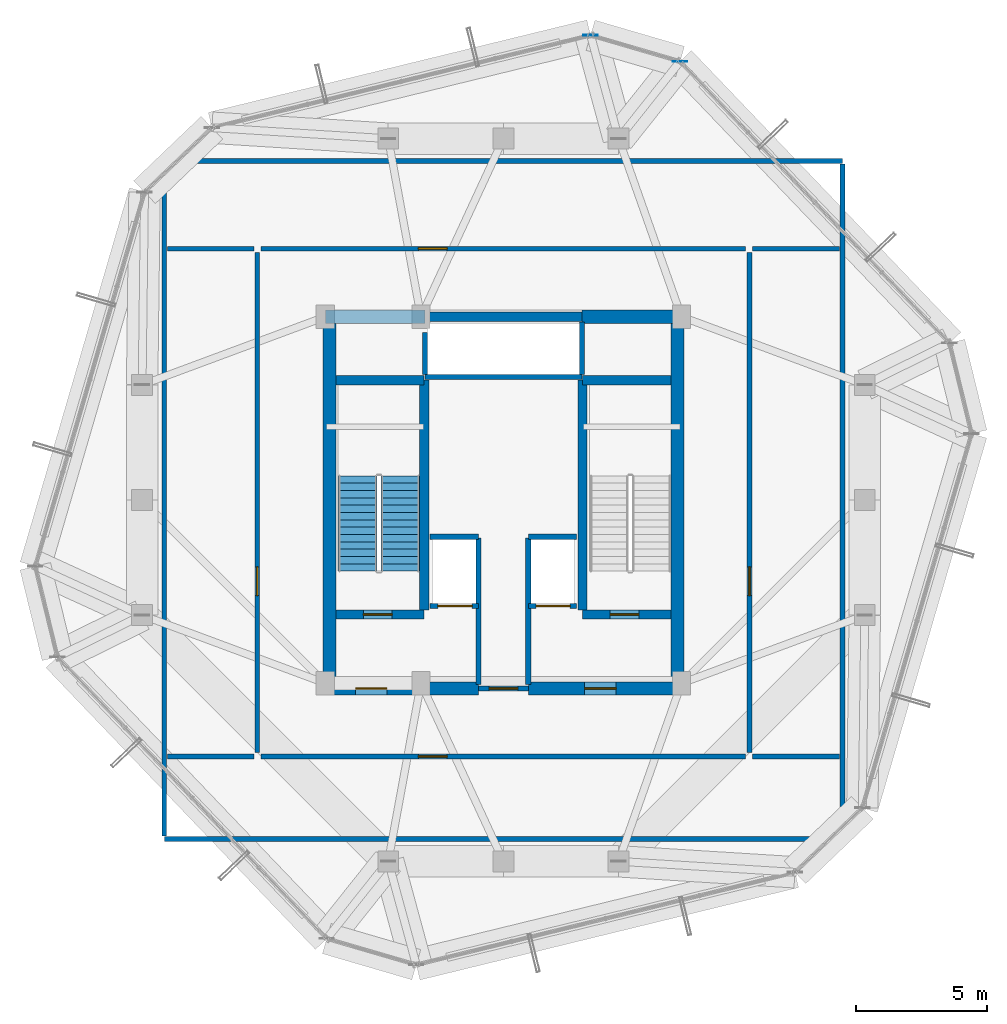
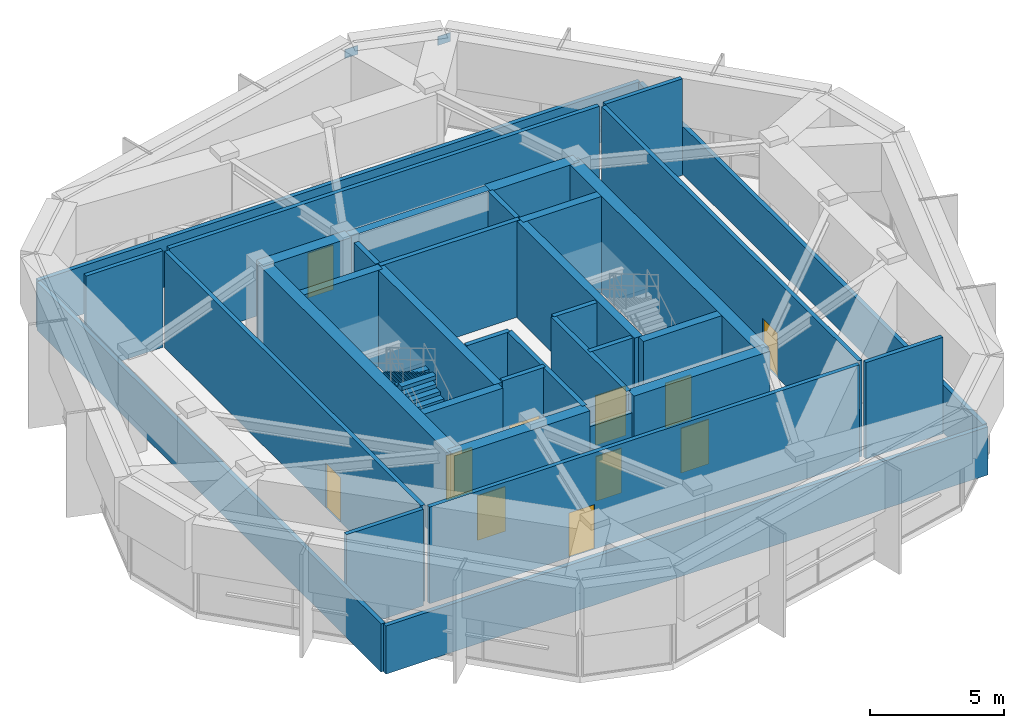
# One storey, part 36 of 39: 35 walls, 11 doors, 2 plates, 2 stair flights, 11 openings, 1 element without a shape of its own.
"""IFC4 building model written with IfcOpenShell, lengths in metres."""

from ifc_helpers import new_model, si_unit, direction, frame, frame_2d, origin, origin_2d, place, context, subcontext, project, spatial, polyline, rectangle, outline, extrude, source, transform, mapped, material, layer, layer_set, type_object, element, fill, aggregate, save


model = new_model("IFC4")

# Units and contexts
model_context = context("Model", 3, precision=1e-05, world=origin(), true_north=direction((0.0, 1.0)))
body_context = subcontext(model_context, "Body", "Model", "MODEL_VIEW")
ifc_project = project(units=[si_unit("LENGTHUNIT", "METRE"), si_unit("AREAUNIT", "SQUARE_METRE"), si_unit("VOLUMEUNIT", "CUBIC_METRE"), si_unit("PLANEANGLEUNIT", "RADIAN"), si_unit("MASSUNIT", "GRAM", prefix="KILO")], contexts=[model_context])

# Site, building, storey
site_placement = place(None, origin())
site = spatial("IfcSite", under=ifc_project, at=site_placement, CompositionType="ELEMENT")
building_placement = place(site_placement, origin())
building = spatial("IfcBuilding", under=site, at=building_placement, Name="Veraguas Prism Commons", CompositionType="ELEMENT")
storey_placement = place(building_placement, frame((0.0, 0.0, 264.25)))
storey = spatial("IfcBuildingStorey", under=building, at=storey_placement, Name="L75", CompositionType="ELEMENT", Elevation=264.25)

# Plates
ifc_material_1 = material(Name="Steel ASTM A572 Grade 50", Category="steel")
ifc_layer_1 = layer(ifc_material_1, 0.030029296875, Name="Hollow Brace End Cap Plate 550x400x30", Category="steel")
ifc_layer_set_1 = layer_set([ifc_layer_1], Name="Steel ASTM A572 Grade 50")
plate_type = type_object("IfcPlateType", Name="Hollow Brace End Cap Plate 550x400x30", PredefinedType="USERDEFINED", material=ifc_layer_set_1)
shared_shape_1 = source(origin(), body_context, "Body", "SweptSolid", [
    extrude(rectangle(XDim=0.550048828125, YDim=0.030029296875, at=origin_2d()), origin(), (0.0, 0.0, 1.0), 0.39990234375),
])
for number, where, z_axis, x_axis, name in (
    (1, (30.747802734375, 40.751708984375, 3.739990234375), (0.0, 0.0, 1.0), (1.0, 0.0, 0.0), "Crown Raker Head Gusset Plate L75-03"),
    (2, (27.328125, 41.750244140625, 3.739990234375), (0.0, 0.0, 1.0), (1.0, 0.0, 0.0), "Crown Raker Head Gusset Plate L75-04"),
):
    element("IfcPlate", number, at=place(storey_placement, frame(where, z_axis=z_axis, x_axis=x_axis)), inside=storey, type_object=plate_type, Name=name, ObjectType="STIFFENER PLATE", PredefinedType="USERDEFINED", context=body_context, shape_type="MappedRepresentation", body=[
        mapped(shared_shape_1, transform((0.0, 0.0, 0.0), scale=1.0)),
    ])

# Wall
ifc_material_2 = material(Name="Concrete C50/60", Category="concrete")
ifc_layer_2 = layer(ifc_material_2, 0.35009765625, Name="Core Internal Shear Wall Upper RC 350", Category="concrete")
ifc_layer_set_2 = layer_set([ifc_layer_2], Name="Concrete C50/60")
wall_type_1 = type_object("IfcWallType", Name="Core Internal Shear Wall Upper RC 350", PredefinedType="SHEAR", material=ifc_layer_set_2)
wall_1_placement = place(storey_placement, frame((21.0, 31.0, 0.0), z_axis=(0.0, 0.0, 1.0), x_axis=(1.0, 0.0, 0.0)))
element("IfcWall", 3, at=wall_1_placement, inside=storey, type_object=wall_type_1, Name="High-Rise Lift Bank Front Shear Wall L75", PredefinedType="SHEAR", context=body_context, shape_type="SweptSolid", body=[
    extrude(rectangle(XDim=6.0, YDim=0.35009765625, at=frame_2d((3.0, 0.0))), origin(), (0.0, 0.0, 1.0), 4.389892578125),
])

# Wall, opening, door
wall_2_placement = place(storey_placement, frame((17.60009765625, 19.625, 0.0), z_axis=(0.0, 0.0, 1.0), x_axis=(1.0, 0.0, 0.0)))
wall_2 = element("IfcWall", 4, at=wall_2_placement, inside=storey, type_object=wall_type_1, Name="Stair ST-01 South Shear Wall L75", PredefinedType="SHEAR", context=body_context, shape_type="SweptSolid", body=[
    extrude(rectangle(XDim=3.375, YDim=0.35009765625, at=frame_2d((1.6875, 0.0))), origin(), (0.0, 0.0, 1.0), 4.389892578125),
])
opening_1_placement = place(wall_2_placement, frame((1.050048828125, 0.0, 0.0)))
opening_1 = element("IfcOpeningElement", 5, at=opening_1_placement, cuts=wall_2, Name="Opening DR-05", PredefinedType="OPENING", context=body_context, shape_type="SweptSolid", body=[
    extrude(rectangle(XDim=1.10009765625, YDim=2.030029296875, at=frame_2d((0.550048828125, 1.01513671875))), frame((0.0, 0.18505859375, 0.0), z_axis=(0.0, -1.0, 0.0), x_axis=(1.0, 0.0, 0.0)), (0.0, 0.0, 1.0), 0.3701171875),
])
ifc_material_3 = material(Name="Steel fire-rated door assembly", Category="steel")
door_type_1 = type_object("IfcDoorType", Name="Protected Stair and Refuge Fire Door 1100x2030", OperationType="NOTDEFINED", PredefinedType="DOOR", material=ifc_material_3)
shared_shape_2 = source(origin(), body_context, "Body", "SweptSolid", [
    extrude(rectangle(XDim=1.10009765625, YDim=2.030029296875, at=frame_2d((0.550048828125, 1.01513671875))), frame((0.0, 0.02490234375, 0.0), z_axis=(0.0, -1.0, 0.0), x_axis=(1.0, 0.0, 0.0)), (0.0, 0.0, 1.0), 0.050048828125),
])
door_1_placement = place(opening_1_placement, origin())
door_1 = element("IfcDoor", 6, at=door_1_placement, inside=storey, type_object=door_type_1, Name="Stair ST-01 Enclosure Door L75", OperationType="SINGLE_SWING_RIGHT", OverallHeight=2.030029296875, OverallWidth=1.10009765625, PredefinedType="DOOR", context=body_context, shape_type="MappedRepresentation", body=[
    mapped(shared_shape_2, transform((0.0, 0.0, 0.0), scale=1.0)),
])
fill(opening_1, door_1)

wall_3_placement = place(storey_placement, frame((27.02490234375, 19.625, 0.0), z_axis=(0.0, 0.0, 1.0), x_axis=(1.0, 0.0, 0.0)))
wall_3 = element("IfcWall", 7, at=wall_3_placement, inside=storey, type_object=wall_type_1, Name="Stair ST-02 South Shear Wall L75", PredefinedType="SHEAR", context=body_context, shape_type="SweptSolid", body=[
    extrude(rectangle(XDim=3.375, YDim=0.35009765625, at=frame_2d((1.6875, 0.0))), origin(), (0.0, 0.0, 1.0), 4.389892578125),
])
opening_2_placement = place(wall_3_placement, frame((1.050048828125, 0.0, 0.0)))
opening_2 = element("IfcOpeningElement", 8, at=opening_2_placement, cuts=wall_3, Name="Opening DR-05", PredefinedType="OPENING", context=body_context, shape_type="SweptSolid", body=[
    extrude(rectangle(XDim=1.10009765625, YDim=2.030029296875, at=frame_2d((0.550048828125, 1.01513671875))), frame((0.0, 0.18505859375, 0.0), z_axis=(0.0, -1.0, 0.0), x_axis=(1.0, 0.0, 0.0)), (0.0, 0.0, 1.0), 0.3701171875),
])
door_2_placement = place(opening_2_placement, origin())
door_2 = element("IfcDoor", 9, at=door_2_placement, inside=storey, type_object=door_type_1, Name="Stair ST-02 Enclosure Door L75", OperationType="SINGLE_SWING_LEFT", OverallHeight=2.030029296875, OverallWidth=1.10009765625, PredefinedType="DOOR", context=body_context, shape_type="MappedRepresentation", body=[
    mapped(shared_shape_2, transform((0.0, 0.0, 0.0), scale=1.0)),
])
fill(opening_2, door_2)

# Walls
for number, where, z_axis, x_axis, name in (
    (10, (20.97509765625, 19.800048828125, 0.0), (0.0, 0.0, 1.0), (0.0, 1.0, 0.0), "Stair ST-01 Inner Shear Wall L75"),
    (11, (27.02490234375, 19.800048828125, 0.0), (0.0, 0.0, 1.0), (0.0, 1.0, 0.0), "Stair ST-02 Inner Shear Wall L75"),
):
    element("IfcWall", number, at=place(storey_placement, frame(where, z_axis=z_axis, x_axis=x_axis)), inside=storey, type_object=wall_type_1, Name=name, PredefinedType="SHEAR", context=body_context, shape_type="SweptSolid", body=[
        extrude(rectangle(XDim=8.77490234375, YDim=0.35009765625, at=frame_2d((4.387451171875, 0.0))), origin(), (0.0, 0.0, 1.0), 4.389892578125),
    ])
for number, where, z_axis, x_axis, name in (
    (12, (17.60009765625, 28.574951171875, 0.0), (0.0, 0.0, 1.0), (1.0, 0.0, 0.0), "Stair ST-01 North Shear Wall L75"),
    (13, (27.02490234375, 28.574951171875, 0.0), (0.0, 0.0, 1.0), (1.0, 0.0, 0.0), "Stair ST-02 North Shear Wall L75"),
):
    element("IfcWall", number, at=place(storey_placement, frame(where, z_axis=z_axis, x_axis=x_axis)), inside=storey, type_object=wall_type_1, Name=name, PredefinedType="SHEAR", context=body_context, shape_type="SweptSolid", body=[
        extrude(rectangle(XDim=3.375, YDim=0.35009765625, at=frame_2d((1.6875, 0.0))), origin(), (0.0, 0.0, 1.0), 4.389892578125),
    ])
ifc_layer_3 = layer(ifc_material_2, 0.5, Name="Core Outer Shear Wall Upper RC 500", Category="concrete")
ifc_layer_set_3 = layer_set([ifc_layer_3], Name="Concrete C50/60")
wall_type_2 = type_object("IfcWallType", Name="Core Outer Shear Wall Upper RC 500", PredefinedType="SHEAR", material=ifc_layer_set_3)
for number, where, z_axis, x_axis, name in (
    (14, (17.35009765625, 16.800048828125, 0.0), (0.0, 0.0, 1.0), (0.0, 1.0, 0.0), "Central Core West Shear Wall L75"),
    (15, (30.64990234375, 16.800048828125, 0.0), (0.0, 0.0, 1.0), (0.0, 1.0, 0.0), "Central Core East Shear Wall L75"),
):
    element("IfcWall", number, at=place(storey_placement, frame(where, z_axis=z_axis, x_axis=x_axis)), inside=storey, type_object=wall_type_2, Name=name, PredefinedType="SHEAR", context=body_context, shape_type="SweptSolid", body=[
        extrude(rectangle(XDim=14.199951171875, YDim=0.5, at=frame_2d((7.10009765625, 0.0))), origin(), (0.0, 0.0, 1.0), 4.389892578125),
    ])

# Wall, opening, door
wall_4_placement = place(storey_placement, frame((17.199951171875, 16.800048828125, 0.0), z_axis=(0.0, 0.0, 1.0), x_axis=(1.0, 0.0, 0.0)))
wall_4 = element("IfcWall", 16, at=wall_4_placement, inside=storey, type_object=wall_type_2, Name="Central Core South-West Shear Wall L75", PredefinedType="SHEAR", context=body_context, shape_type="SweptSolid", body=[
    extrude(rectangle(XDim=5.85009765625, YDim=0.5, at=frame_2d((2.925048828125, 0.0))), origin(), (0.0, 0.0, 1.0), 4.389892578125),
])
opening_3_placement = place(wall_4_placement, frame((1.14990234375, 0.0, 0.0)))
opening_3 = element("IfcOpeningElement", 17, at=opening_3_placement, cuts=wall_4, Name="Opening DR-06", PredefinedType="OPENING", context=body_context, shape_type="SweptSolid", body=[
    extrude(rectangle(XDim=1.199951171875, YDim=2.030029296875, at=frame_2d((0.60009765625, 1.01513671875))), frame((0.0, 0.260009765625, 0.0), z_axis=(0.0, -1.0, 0.0), x_axis=(1.0, 0.0, 0.0)), (0.0, 0.0, 1.0), 0.52001953125),
])
door_type_2 = type_object("IfcDoorType", Name="Firefighting Lobby Smoke Door 1200x2030", OperationType="NOTDEFINED", PredefinedType="DOOR", material=ifc_material_3)
shared_shape_3 = source(origin(), body_context, "Body", "SweptSolid", [
    extrude(rectangle(XDim=1.199951171875, YDim=2.030029296875, at=frame_2d((0.60009765625, 1.01513671875))), frame((0.0, 0.02490234375, 0.0), z_axis=(0.0, -1.0, 0.0), x_axis=(1.0, 0.0, 0.0)), (0.0, 0.0, 1.0), 0.050048828125),
])
door_3_placement = place(opening_3_placement, origin())
door_3 = element("IfcDoor", 18, at=door_3_placement, inside=storey, type_object=door_type_2, Name="West FF Lobby Door L75", OperationType="SINGLE_SWING_LEFT", OverallHeight=2.030029296875, OverallWidth=1.199951171875, PredefinedType="DOOR", context=body_context, shape_type="MappedRepresentation", body=[
    mapped(shared_shape_3, transform((0.0, 0.0, 0.0), scale=1.0)),
])
fill(opening_3, door_3)

wall_5_placement = place(storey_placement, frame((24.949951171875, 16.800048828125, 0.0), z_axis=(0.0, 0.0, 1.0), x_axis=(1.0, 0.0, 0.0)))
wall_5 = element("IfcWall", 19, at=wall_5_placement, inside=storey, type_object=wall_type_2, Name="Central Core South-East Shear Wall L75", PredefinedType="SHEAR", context=body_context, shape_type="SweptSolid", body=[
    extrude(rectangle(XDim=5.85009765625, YDim=0.5, at=frame_2d((2.925048828125, 0.0))), origin(), (0.0, 0.0, 1.0), 4.389892578125),
])
opening_4_placement = place(wall_5_placement, frame((2.14990234375, 0.0, 0.0)))
opening_4 = element("IfcOpeningElement", 20, at=opening_4_placement, cuts=wall_5, Name="Opening DR-06", PredefinedType="OPENING", context=body_context, shape_type="SweptSolid", body=[
    extrude(rectangle(XDim=1.199951171875, YDim=2.030029296875, at=frame_2d((0.60009765625, 1.01513671875))), frame((0.0, 0.260009765625, 0.0), z_axis=(0.0, -1.0, 0.0), x_axis=(1.0, 0.0, 0.0)), (0.0, 0.0, 1.0), 0.52001953125),
])
door_4_placement = place(opening_4_placement, origin())
door_4 = element("IfcDoor", 21, at=door_4_placement, inside=storey, type_object=door_type_2, Name="East FF Lobby Door L75", OperationType="SINGLE_SWING_LEFT", OverallHeight=2.030029296875, OverallWidth=1.199951171875, PredefinedType="DOOR", context=body_context, shape_type="MappedRepresentation", body=[
    mapped(shared_shape_3, transform((0.0, 0.0, 0.0), scale=1.0)),
])
fill(opening_4, door_4)

# Walls
for number, where, z_axis, x_axis, name in (
    (22, (17.199951171875, 31.0, 0.0), (0.0, 0.0, 1.0), (1.0, 0.0, 0.0), "Central Core North-West Shear Wall L75"),
    (23, (27.0, 31.0, 0.0), (0.0, 0.0, 1.0), (1.0, 0.0, 0.0), "Central Core North-East Shear Wall L75"),
):
    element("IfcWall", number, at=place(storey_placement, frame(where, z_axis=z_axis, x_axis=x_axis)), inside=storey, type_object=wall_type_2, Name=name, PredefinedType="SHEAR", context=body_context, shape_type="SweptSolid", body=[
        extrude(rectangle(XDim=3.800048828125, YDim=0.5, at=frame_2d((1.89990234375, 0.0))), origin(), (0.0, 0.0, 1.0), 4.389892578125),
    ])

# Wall, opening, door
ifc_material_4 = material(Name="Autoclaved aerated masonry block 10 MPa", Category="masonry")
ifc_layer_4 = layer(ifc_material_4, 0.179931640625, Name="Corridor and Inter-Tenancy Partition 180", Category="masonry")
ifc_layer_set_4 = layer_set([ifc_layer_4], Name="Autoclaved aerated masonry block 10 MPa")
wall_type_3 = type_object("IfcWallType", Name="Corridor and Inter-Tenancy Partition 180", PredefinedType="PARTITIONING", material=ifc_layer_set_4)
wall_6_placement = place(storey_placement, frame((14.75, 14.199951171875, 0.0), z_axis=(0.0, 0.0, 1.0), x_axis=(1.0, 0.0, 0.0)))
wall_6 = element("IfcWall", 24, at=wall_6_placement, inside=storey, type_object=wall_type_3, Name="WL-L75-PLWS", PredefinedType="PARTITIONING", context=body_context, shape_type="SweptSolid", body=[
    extrude(rectangle(XDim=18.5, YDim=0.179931640625, at=frame_2d((9.25, 0.0))), origin(), (0.0, 0.0, 1.0), 4.389892578125),
])
opening_5_placement = place(wall_6_placement, frame((6.0, 0.0, 0.0)))
opening_5 = element("IfcOpeningElement", 25, at=opening_5_placement, cuts=wall_6, Name="Opening DR-05", PredefinedType="OPENING", context=body_context, shape_type="SweptSolid", body=[
    extrude(rectangle(XDim=1.10009765625, YDim=2.030029296875, at=frame_2d((0.550048828125, 1.01513671875))), frame((0.0, 0.099853515625, 0.0), z_axis=(0.0, -1.0, 0.0), x_axis=(1.0, 0.0, 0.0)), (0.0, 0.0, 1.0), 0.199951171875),
])
door_5_placement = place(opening_5_placement, origin())
door_5 = element("IfcDoor", 26, at=door_5_placement, inside=storey, type_object=door_type_1, Name="Domestic Water Pump and Switchgear Plant Door", OperationType="SINGLE_SWING_RIGHT", OverallHeight=2.030029296875, OverallWidth=1.10009765625, PredefinedType="DOOR", context=body_context, shape_type="MappedRepresentation", body=[
    mapped(shared_shape_2, transform((0.0, 0.0, 0.0), scale=1.0)),
])
fill(opening_5, door_5)

wall_7_placement = place(storey_placement, frame((33.39990234375, 14.35009765625, 0.0), z_axis=(0.0, 0.0, 1.0), x_axis=(0.0, 1.0, 0.0)))
wall_7 = element("IfcWall", 27, at=wall_7_placement, inside=storey, type_object=wall_type_3, Name="WL-L75-PLWE", PredefinedType="PARTITIONING", context=body_context, shape_type="SweptSolid", body=[
    extrude(rectangle(XDim=19.099853515625, YDim=0.179931640625, at=frame_2d((9.5498046875, 0.0))), origin(), (0.0, 0.0, 1.0), 4.389892578125),
])
opening_6_placement = place(wall_7_placement, frame((6.0, 0.0, 0.0)))
opening_6 = element("IfcOpeningElement", 28, at=opening_6_placement, cuts=wall_7, Name="Opening DR-05", PredefinedType="OPENING", context=body_context, shape_type="SweptSolid", body=[
    extrude(rectangle(XDim=1.10009765625, YDim=2.030029296875, at=frame_2d((0.550048828125, 1.01513671875))), frame((0.0, 0.099853515625, 0.0), z_axis=(0.0, -1.0, 0.0), x_axis=(1.0, 0.0, 0.0)), (0.0, 0.0, 1.0), 0.199951171875),
])
door_6_placement = place(opening_6_placement, origin())
door_6 = element("IfcDoor", 29, at=door_6_placement, inside=storey, type_object=door_type_1, Name="Chiller and Heat Exchanger Plant Door", OperationType="SINGLE_SWING_LEFT", OverallHeight=2.030029296875, OverallWidth=1.10009765625, PredefinedType="DOOR", context=body_context, shape_type="MappedRepresentation", body=[
    mapped(shared_shape_2, transform((0.0, 0.0, 0.0), scale=1.0)),
])
fill(opening_6, door_6)

wall_8_placement = place(storey_placement, frame((14.75, 33.60009765625, 0.0), z_axis=(0.0, 0.0, 1.0), x_axis=(1.0, 0.0, 0.0)))
wall_8 = element("IfcWall", 30, at=wall_8_placement, inside=storey, type_object=wall_type_3, Name="WL-L75-PLWN", PredefinedType="PARTITIONING", context=body_context, shape_type="SweptSolid", body=[
    extrude(rectangle(XDim=18.5, YDim=0.179931640625, at=frame_2d((9.25, 0.0))), origin(), (0.0, 0.0, 1.0), 4.389892578125),
])
opening_7_placement = place(wall_8_placement, frame((6.0, 0.0, 0.0)))
opening_7 = element("IfcOpeningElement", 31, at=opening_7_placement, cuts=wall_8, Name="Opening DR-05", PredefinedType="OPENING", context=body_context, shape_type="SweptSolid", body=[
    extrude(rectangle(XDim=1.10009765625, YDim=2.030029296875, at=frame_2d((0.550048828125, 1.01513671875))), frame((0.0, 0.099853515625, 0.0), z_axis=(0.0, -1.0, 0.0), x_axis=(1.0, 0.0, 0.0)), (0.0, 0.0, 1.0), 0.199951171875),
])
door_7_placement = place(opening_7_placement, origin())
door_7 = element("IfcDoor", 32, at=door_7_placement, inside=storey, type_object=door_type_1, Name="Air Handling Mechanical Plant Door", OperationType="SINGLE_SWING_RIGHT", OverallHeight=2.030029296875, OverallWidth=1.10009765625, PredefinedType="DOOR", context=body_context, shape_type="MappedRepresentation", body=[
    mapped(shared_shape_2, transform((0.0, 0.0, 0.0), scale=1.0)),
])
fill(opening_7, door_7)

wall_9_placement = place(storey_placement, frame((14.60009765625, 14.35009765625, 0.0), z_axis=(0.0, 0.0, 1.0), x_axis=(0.0, 1.0, 0.0)))
wall_9 = element("IfcWall", 33, at=wall_9_placement, inside=storey, type_object=wall_type_3, Name="WL-L75-PLWW", PredefinedType="PARTITIONING", context=body_context, shape_type="SweptSolid", body=[
    extrude(rectangle(XDim=19.099853515625, YDim=0.179931640625, at=frame_2d((9.5498046875, 0.0))), origin(), (0.0, 0.0, 1.0), 4.389892578125),
])
opening_8_placement = place(wall_9_placement, frame((6.0, 0.0, 0.0)))
opening_8 = element("IfcOpeningElement", 34, at=opening_8_placement, cuts=wall_9, Name="Opening DR-05", PredefinedType="OPENING", context=body_context, shape_type="SweptSolid", body=[
    extrude(rectangle(XDim=1.10009765625, YDim=2.030029296875, at=frame_2d((0.550048828125, 1.01513671875))), frame((0.0, 0.099853515625, 0.0), z_axis=(0.0, -1.0, 0.0), x_axis=(1.0, 0.0, 0.0)), (0.0, 0.0, 1.0), 0.199951171875),
])
door_8_placement = place(opening_8_placement, origin())
door_8 = element("IfcDoor", 35, at=door_8_placement, inside=storey, type_object=door_type_1, Name="Crown Lift Machine and Pressurisation Plant Door", OperationType="SINGLE_SWING_LEFT", OverallHeight=2.030029296875, OverallWidth=1.10009765625, PredefinedType="DOOR", context=body_context, shape_type="MappedRepresentation", body=[
    mapped(shared_shape_2, transform((0.0, 0.0, 0.0), scale=1.0)),
])
fill(opening_8, door_8)

# Walls
for number, where, z_axis, x_axis, name in (
    (36, (11.050048828125, 11.050048828125, 0.0), (0.0, 0.0, 1.0), (1.0, 0.0, 0.0), "WL-L75-PLPS"),
    (37, (11.050048828125, 36.949951171875, 0.0), (0.0, 0.0, 1.0), (1.0, 0.0, 0.0), "WL-L75-PLPN"),
):
    element("IfcWall", number, at=place(storey_placement, frame(where, z_axis=z_axis, x_axis=x_axis)), inside=storey, type_object=wall_type_3, Name=name, PredefinedType="PARTITIONING", context=body_context, shape_type="SweptSolid", body=[
        extrude(rectangle(XDim=25.89990234375, YDim=0.179931640625, at=frame_2d((12.949951171875, 0.0))), origin(), (0.0, 0.0, 1.0), 2.18994140625),
    ])
for number, where, z_axis, x_axis, name in (
    (38, (11.050048828125, 11.169921875, 0.0), (0.0, 0.0, 1.0), (0.0, 1.0, 0.0), "WL-L75-PLPW"),
    (39, (36.949951171875, 11.169921875, 0.0), (0.0, 0.0, 1.0), (0.0, 1.0, 0.0), "WL-L75-PLPE"),
):
    element("IfcWall", number, at=place(storey_placement, frame(where, z_axis=z_axis, x_axis=x_axis)), inside=storey, type_object=wall_type_3, Name=name, PredefinedType="PARTITIONING", context=body_context, shape_type="SweptSolid", body=[
        extrude(rectangle(XDim=25.66015625, YDim=0.179931640625, at=frame_2d((12.830078125, 0.0))), origin(), (0.0, 0.0, 1.0), 2.18994140625),
    ])
for number, where, z_axis, x_axis, name in (
    (40, (11.169921875, 14.199951171875, 0.0), (0.0, 0.0, 1.0), (1.0, 0.0, 0.0), "WL-L75-PLDSW"),
    (41, (33.52001953125, 14.199951171875, 0.0), (0.0, 0.0, 1.0), (1.0, 0.0, 0.0), "WL-L75-PLDSE"),
    (42, (11.169921875, 33.60009765625, 0.0), (0.0, 0.0, 1.0), (1.0, 0.0, 0.0), "WL-L75-PLDNW"),
    (43, (33.52001953125, 33.60009765625, 0.0), (0.0, 0.0, 1.0), (1.0, 0.0, 0.0), "WL-L75-PLDNE"),
):
    element("IfcWall", number, at=place(storey_placement, frame(where, z_axis=z_axis, x_axis=x_axis)), inside=storey, type_object=wall_type_3, Name=name, PredefinedType="PARTITIONING", context=body_context, shape_type="SweptSolid", body=[
        extrude(rectangle(XDim=3.31005859375, YDim=0.179931640625, at=frame_2d((1.655029296875, 0.0))), origin(), (0.0, 0.0, 1.0), 4.389892578125),
    ])

# Wall, opening, door
ifc_layer_5 = layer(ifc_material_4, 0.199951171875, Name="Rated Shaft and Lobby Block Wall 200", Category="masonry")
ifc_layer_set_5 = layer_set([ifc_layer_5], Name="Autoclaved aerated masonry block 10 MPa")
wall_type_4 = type_object("IfcWallType", Name="Rated Shaft and Lobby Block Wall 200", PredefinedType="SOLIDWALL", material=ifc_layer_set_5)
wall_10_placement = place(storey_placement, frame((23.050048828125, 16.800048828125, 0.0), z_axis=(0.0, 0.0, 1.0), x_axis=(1.0, 0.0, 0.0)))
wall_10 = element("IfcWall", 44, at=wall_10_placement, inside=storey, type_object=wall_type_4, Name="Central Core Lobby Entrance Wall L75", PredefinedType="SOLIDWALL", context=body_context, shape_type="SweptSolid", body=[
    extrude(rectangle(XDim=1.89990234375, YDim=0.199951171875, at=frame_2d((0.949951171875, 0.0))), origin(), (0.0, 0.0, 1.0), 3.5400390625),
])
opening_9_placement = place(wall_10_placement, frame((0.39990234375, 0.0, 0.0)))
opening_9 = element("IfcOpeningElement", 45, at=opening_9_placement, cuts=wall_10, Name="Opening DR-05", PredefinedType="OPENING", context=body_context, shape_type="SweptSolid", body=[
    extrude(rectangle(XDim=1.10009765625, YDim=2.030029296875, at=frame_2d((0.550048828125, 1.01513671875))), frame((0.0, 0.10986328125, 0.0), z_axis=(0.0, -1.0, 0.0), x_axis=(1.0, 0.0, 0.0)), (0.0, 0.0, 1.0), 0.219970703125),
])
door_9_placement = place(opening_9_placement, origin())
door_9 = element("IfcDoor", 46, at=door_9_placement, inside=storey, type_object=door_type_1, Name="Central Lobby Door L75", OperationType="SINGLE_SWING_RIGHT", OverallHeight=2.030029296875, OverallWidth=1.10009765625, PredefinedType="DOOR", context=body_context, shape_type="MappedRepresentation", body=[
    mapped(shared_shape_2, transform((0.0, 0.0, 0.0), scale=1.0)),
])
fill(opening_9, door_9)

wall_11_placement = place(storey_placement, frame((21.199951171875, 19.949951171875, 0.0), z_axis=(0.0, 0.0, 1.0), x_axis=(1.0, 0.0, 0.0)))
wall_11 = element("IfcWall", 47, at=wall_11_placement, inside=storey, type_object=wall_type_4, Name="Firefighting Lift FFL-1 Front Wall L75", PredefinedType="SOLIDWALL", context=body_context, shape_type="SweptSolid", body=[
    extrude(rectangle(XDim=1.85009765625, YDim=0.199951171875, at=frame_2d((0.925048828125, 0.0))), origin(), (0.0, 0.0, 1.0), 4.389892578125),
])
opening_10_placement = place(wall_11_placement, frame((0.300048828125, 0.0, 0.0)))
opening_10 = element("IfcOpeningElement", 48, at=opening_10_placement, cuts=wall_11, Name="Opening LD-02", PredefinedType="OPENING", context=body_context, shape_type="SweptSolid", body=[
    extrude(rectangle(XDim=1.300048828125, YDim=2.25, at=frame_2d((0.64990234375, 1.125))), frame((0.0, 0.10986328125, 0.0), z_axis=(0.0, -1.0, 0.0), x_axis=(1.0, 0.0, 0.0)), (0.0, 0.0, 1.0), 0.219970703125),
])
ifc_material_5 = material(Name="Stainless steel AISI 316", Category="steel")
door_type_3 = type_object("IfcDoorType", Name="Firefighting Lift Sliding Landing Door 1300x2250", OperationType="NOTDEFINED", PredefinedType="DOOR", material=ifc_material_5)
shared_shape_4 = source(origin(), body_context, "Body", "SweptSolid", [
    extrude(rectangle(XDim=1.300048828125, YDim=2.25, at=frame_2d((0.64990234375, 1.125))), frame((0.0, 0.02490234375, 0.0), z_axis=(0.0, -1.0, 0.0), x_axis=(1.0, 0.0, 0.0)), (0.0, 0.0, 1.0), 0.050048828125),
])
door_10_placement = place(opening_10_placement, origin())
door_10 = element("IfcDoor", 49, at=door_10_placement, inside=storey, type_object=door_type_3, Name="Firefighting Lift FFL-1 Landing Door L75", OperationType="SLIDING_TO_LEFT", OverallHeight=2.25, OverallWidth=1.300048828125, PredefinedType="DOOR", context=body_context, shape_type="MappedRepresentation", body=[
    mapped(shared_shape_4, transform((0.0, 0.0, 0.0), scale=1.0)),
])
fill(opening_10, door_10)

wall_12_placement = place(storey_placement, frame((24.949951171875, 19.949951171875, 0.0), z_axis=(0.0, 0.0, 1.0), x_axis=(1.0, 0.0, 0.0)))
wall_12 = element("IfcWall", 50, at=wall_12_placement, inside=storey, type_object=wall_type_4, Name="Firefighting Lift FFL-2 Front Wall L75", PredefinedType="SOLIDWALL", context=body_context, shape_type="SweptSolid", body=[
    extrude(rectangle(XDim=1.85009765625, YDim=0.199951171875, at=frame_2d((0.925048828125, 0.0))), origin(), (0.0, 0.0, 1.0), 4.389892578125),
])
opening_11_placement = place(wall_12_placement, frame((0.300048828125, 0.0, 0.0)))
opening_11 = element("IfcOpeningElement", 51, at=opening_11_placement, cuts=wall_12, Name="Opening LD-02", PredefinedType="OPENING", context=body_context, shape_type="SweptSolid", body=[
    extrude(rectangle(XDim=1.300048828125, YDim=2.25, at=frame_2d((0.64990234375, 1.125))), frame((0.0, 0.10986328125, 0.0), z_axis=(0.0, -1.0, 0.0), x_axis=(1.0, 0.0, 0.0)), (0.0, 0.0, 1.0), 0.219970703125),
])
door_11_placement = place(opening_11_placement, origin())
door_11 = element("IfcDoor", 52, at=door_11_placement, inside=storey, type_object=door_type_3, Name="Firefighting Lift FFL-2 Front Wall L75", OperationType="SLIDING_TO_LEFT", OverallHeight=2.25, OverallWidth=1.300048828125, PredefinedType="DOOR", context=body_context, shape_type="MappedRepresentation", body=[
    mapped(shared_shape_4, transform((0.0, 0.0, 0.0), scale=1.0)),
])
fill(opening_11, door_11)

# Walls
for number, where, z_axis, x_axis, name in (
    (53, (23.050048828125, 16.949951171875, 0.0), (0.0, 0.0, 1.0), (0.0, 1.0, 0.0), "West FF Lobby Divider Wall L75"),
    (54, (24.949951171875, 16.949951171875, 0.0), (0.0, 0.0, 1.0), (0.0, 1.0, 0.0), "East FF Lobby Divider Wall L75"),
):
    element("IfcWall", number, at=place(storey_placement, frame(where, z_axis=z_axis, x_axis=x_axis)), inside=storey, type_object=wall_type_4, Name=name, PredefinedType="SOLIDWALL", context=body_context, shape_type="SweptSolid", body=[
        extrude(rectangle(XDim=5.60009765625, YDim=0.199951171875, at=frame_2d((2.800048828125, 0.0))), origin(), (0.0, 0.0, 1.0), 4.389892578125),
    ])
for number, where, z_axis, x_axis, name in (
    (55, (21.199951171875, 22.60009765625, 0.0), (0.0, 0.0, 1.0), (1.0, 0.0, 0.0), "Firefighting Lift FFL-1 Rear Wall L75"),
    (56, (24.949951171875, 22.60009765625, 0.0), (0.0, 0.0, 1.0), (1.0, 0.0, 0.0), "Firefighting Lift FFL-2 Rear Wall L75"),
):
    element("IfcWall", number, at=place(storey_placement, frame(where, z_axis=z_axis, x_axis=x_axis)), inside=storey, type_object=wall_type_4, Name=name, PredefinedType="SOLIDWALL", context=body_context, shape_type="SweptSolid", body=[
        extrude(rectangle(XDim=1.85009765625, YDim=0.199951171875, at=frame_2d((0.925048828125, 0.0))), origin(), (0.0, 0.0, 1.0), 4.389892578125),
    ])
wall_13_placement = place(storey_placement, frame((21.0, 28.699951171875, 0.0), z_axis=(0.0, 0.0, 1.0), x_axis=(1.0, 0.0, 0.0)))
element("IfcWall", 57, at=wall_13_placement, inside=storey, type_object=wall_type_4, Name="High-Rise Lift Bank Rear Shaft Wall L75", PredefinedType="SOLIDWALL", context=body_context, shape_type="SweptSolid", body=[
    extrude(rectangle(XDim=6.0, YDim=0.199951171875, at=frame_2d((3.0, 0.0))), origin(), (0.0, 0.0, 1.0), 4.389892578125),
])
wall_14_placement = place(storey_placement, frame((21.0, 28.800048828125, 0.0), z_axis=(0.0, 0.0, 1.0), x_axis=(0.0, 1.0, 0.0)))
element("IfcWall", 58, at=wall_14_placement, inside=storey, type_object=wall_type_4, Name="High-Rise Lift Bank West Shaft Wall L75", PredefinedType="SOLIDWALL", context=body_context, shape_type="SweptSolid", body=[
    extrude(rectangle(XDim=1.599853515625, YDim=0.199951171875, at=frame_2d((0.7998046875, 0.0))), origin(), (0.0, 0.0, 1.0), 4.389892578125),
])
wall_15_placement = place(storey_placement, frame((27.0, 28.800048828125, 0.0), z_axis=(0.0, 0.0, 1.0), x_axis=(0.0, 1.0, 0.0)))
element("IfcWall", 59, at=wall_15_placement, inside=storey, type_object=wall_type_4, Name="High-Rise Lift Bank East Shaft Wall L75", PredefinedType="SOLIDWALL", context=body_context, shape_type="SweptSolid", body=[
    extrude(rectangle(XDim=2.0, YDim=0.199951171875, at=frame_2d((1.0, 0.0))), origin(), (0.0, 0.0, 1.0), 4.389892578125),
])

# Stair, stair flights
ifc_material_6 = material(Name="Precast concrete C45/55", Category="concrete")
stair_type = type_object("IfcStairType", Name="Dogleg Core Stair 1480W 28R 07", PredefinedType="HALF_TURN_STAIR", material=ifc_material_6)
stair_placement = place(storey_placement, origin())
stair = element("IfcStair", 60, at=stair_placement, inside=storey, type_object=stair_type, Name="Protected Exit Stair ST-01 L75", PredefinedType="HALF_TURN_STAIR")
stair_flight_type = type_object("IfcStairFlightType", Name="Precast Stair Flight 1480W 14R 07", PredefinedType="STRAIGHT", material=ifc_material_6)
stair_flight_1_placement = place(storey_placement, frame((20.06005859375, 21.280029296875, 0.0), z_axis=(0.0, 0.0, 1.0), x_axis=(0.0, 1.0, 0.0)))
stair_flight_1 = element("IfcStairFlight", 61, at=stair_flight_1_placement, type_object=stair_flight_type, Name="ST-07 Flight 1", NumberOfRisers=14, NumberOfTreads=13, PredefinedType="STRAIGHT", RiserHeight=0.166071429, TreadLength=0.28, context=body_context, shape_type="SweptSolid", body=[
    extrude(outline(polyline([(0.0, 0.0), (0.0, 0.166015625), (0.280029296875, 0.166015625), (0.280029296875, 0.33203125), (0.56005859375, 0.33203125), (0.56005859375, 0.498291015625), (0.840087890625, 0.498291015625), (0.840087890625, 0.664306640625), (1.1201171875, 0.664306640625), (1.1201171875, 0.830322265625), (1.39990234375, 0.830322265625), (1.39990234375, 0.996337890625), (1.679931640625, 0.996337890625), (1.679931640625, 1.16259765625), (1.9599609375, 1.16259765625), (1.9599609375, 1.32861328125), (2.239990234375, 1.32861328125), (2.239990234375, 1.49462890625), (2.52001953125, 1.49462890625), (2.52001953125, 1.66064453125), (2.800048828125, 1.66064453125), (2.800048828125, 1.826904296875), (3.080078125, 1.826904296875), (3.080078125, 1.992919921875), (3.360107421875, 1.992919921875), (3.360107421875, 2.158935546875), (3.639892578125, 2.158935546875), (3.639892578125, 2.324951171875), (3.639892578125, 1.984619140625), (0.2939453125, 0.0), (0.0, 0.0)])), frame((0.0, 0.739990234375, 0.0), z_axis=(0.0, -1.0, 0.0), x_axis=(1.0, 0.0, 0.0)), (0.0, 0.0, 1.0), 1.47998046875),
])
stair_flight_2_placement = place(storey_placement, frame((18.429931640625, 24.919921875, 2.324951171875), z_axis=(0.0, 0.0, 1.0), x_axis=(0.0, -1.0, 0.0)))
stair_flight_2 = element("IfcStairFlight", 62, at=stair_flight_2_placement, type_object=stair_flight_type, Name="ST-07 Flight 2", NumberOfRisers=14, NumberOfTreads=13, PredefinedType="STRAIGHT", RiserHeight=0.166071429, TreadLength=0.28, context=body_context, shape_type="SweptSolid", body=[
    extrude(outline(polyline([(0.0, 0.0), (0.0, 0.166015625), (0.280029296875, 0.166015625), (0.280029296875, 0.33203125), (0.56005859375, 0.33203125), (0.56005859375, 0.498291015625), (0.840087890625, 0.498291015625), (0.840087890625, 0.664306640625), (1.1201171875, 0.664306640625), (1.1201171875, 0.830322265625), (1.39990234375, 0.830322265625), (1.39990234375, 0.996337890625), (1.679931640625, 0.996337890625), (1.679931640625, 1.16259765625), (1.9599609375, 1.16259765625), (1.9599609375, 1.32861328125), (2.239990234375, 1.32861328125), (2.239990234375, 1.49462890625), (2.52001953125, 1.49462890625), (2.52001953125, 1.66064453125), (2.800048828125, 1.66064453125), (2.800048828125, 1.826904296875), (3.080078125, 1.826904296875), (3.080078125, 1.992919921875), (3.360107421875, 1.992919921875), (3.360107421875, 2.158935546875), (3.639892578125, 2.158935546875), (3.639892578125, 2.324951171875), (3.639892578125, 1.984619140625), (0.2939453125, 0.0), (0.0, 0.0)])), frame((0.0, 0.739990234375, 0.0), z_axis=(0.0, -1.0, 0.0), x_axis=(1.0, 0.0, 0.0)), (0.0, 0.0, 1.0), 1.47998046875),
])
aggregate(stair, [stair_flight_1, stair_flight_2])

save(model, "model.ifc")
